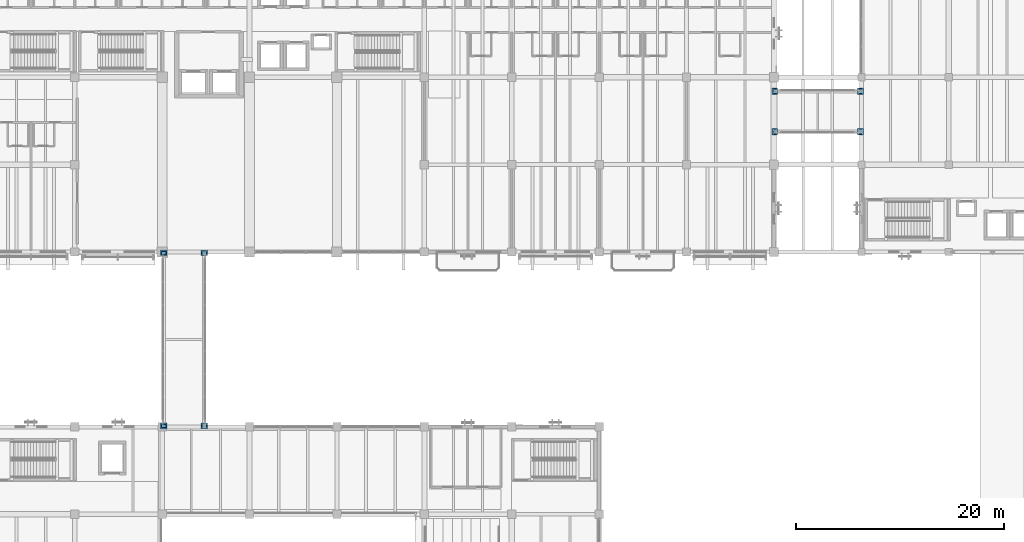
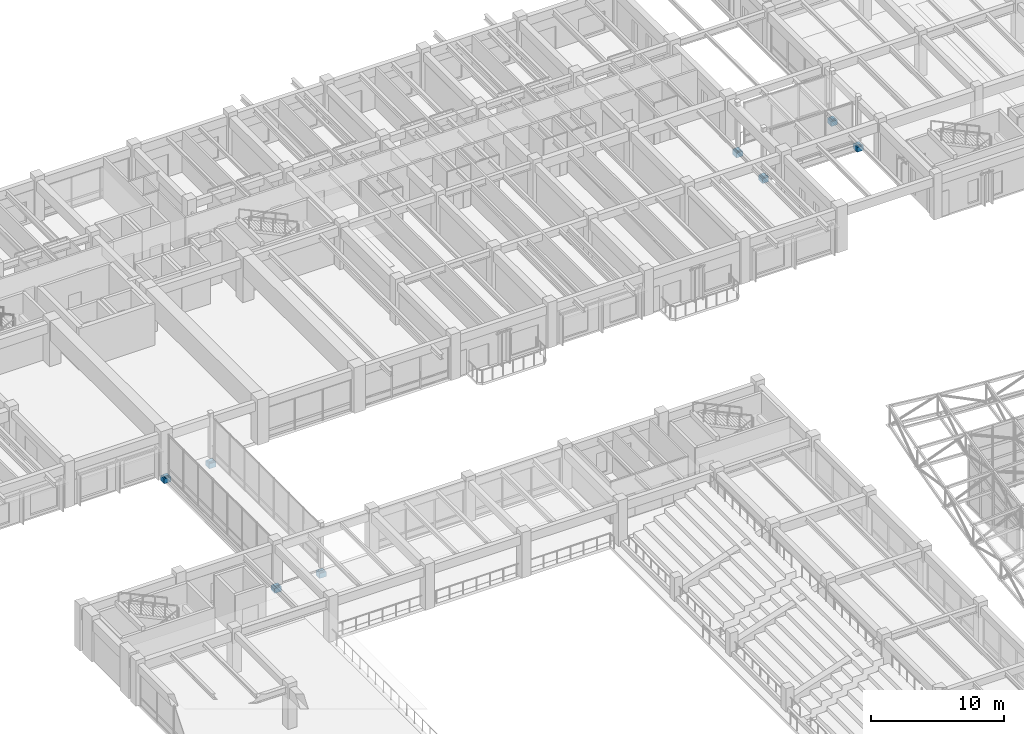
# One storey, part 101 of 132: 16 discrete accessories.
"""IFC4 building model written with IfcOpenShell, lengths in metres."""

from ifc_helpers import new_model, si_unit, direction, frame, origin, origin_2d, place, context, subcontext, project, spatial, rectangle, extrude, material, type_object, element, save


model = new_model("IFC4")

# Units and contexts
model_context = context("Model", 3, precision=1e-05, world=origin(), true_north=direction((0.0, 1.0)))
body_context = subcontext(model_context, "Body", "Model", "MODEL_VIEW")
ifc_project = project(units=[si_unit("LENGTHUNIT", "METRE"), si_unit("AREAUNIT", "SQUARE_METRE"), si_unit("VOLUMEUNIT", "CUBIC_METRE"), si_unit("PLANEANGLEUNIT", "RADIAN"), si_unit("MASSUNIT", "GRAM", prefix="KILO")], contexts=[model_context])

# Site, building, storey
site_placement = place(None, origin())
site = spatial("IfcSite", under=ifc_project, at=site_placement, CompositionType="ELEMENT")
building_placement = place(site_placement, origin())
building = spatial("IfcBuilding", under=site, at=building_placement, Name="Cumbredor Promenade Congress Hotel", CompositionType="ELEMENT")
storey_placement = place(building_placement, frame((0.0, 0.0, 7.56005859375)))
storey = spatial("IfcBuildingStorey", under=building, at=storey_placement, Name="L02", CompositionType="ELEMENT", Elevation=7.56005859375)

# Discrete accessories
ifc_material_1 = material(Name="Concrete C50/60", Category="concrete")
discrete_accessory_type_1 = type_object("IfcDiscreteAccessoryType", Name="Bridge Seat Corbel RC 600x550", PredefinedType="BRACKET", material=ifc_material_1)
for number, where, z_axis, x_axis, name in (
    (1, (25.35009765625, 67.280029296875, -0.7900390625), (0.0, 0.0, 1.0), (0.0, 1.0, 0.0), "L02 West Congress-to-Hotel Glazed Bridge 550mm RC Bridge Seat Corbel 1"),
    (2, (29.25, 67.280029296875, -0.7900390625), (0.0, 0.0, 1.0), (0.0, 1.0, 0.0), "L02 West Congress-to-Hotel Glazed Bridge 550mm RC Bridge Seat Corbel 2"),
    (3, (25.35009765625, 83.919921875, -0.7900390625), (0.0, 0.0, 1.0), (0.0, 1.0, 0.0), "L02 West Congress-to-Hotel Glazed Bridge 550mm RC Bridge Seat Corbel 3"),
    (4, (29.25, 83.919921875, -0.7900390625), (0.0, 0.0, 1.0), (0.0, 1.0, 0.0), "L02 West Congress-to-Hotel Glazed Bridge 550mm RC Bridge Seat Corbel 4"),
    (5, (84.080078125, 95.550048828125, -0.7900390625), (0.0, 0.0, 1.0), (1.0, 0.0, 0.0), "L02 North Hotel-to-Forum Glazed Bridge 550mm RC Bridge Seat Corbel 1"),
    (6, (84.080078125, 99.449951171875, -0.7900390625), (0.0, 0.0, 1.0), (1.0, 0.0, 0.0), "L02 North Hotel-to-Forum Glazed Bridge 550mm RC Bridge Seat Corbel 2"),
    (7, (92.320068359375, 95.550048828125, -0.7900390625), (0.0, 0.0, 1.0), (1.0, 0.0, 0.0), "L02 North Hotel-to-Forum Glazed Bridge 550mm RC Bridge Seat Corbel 3"),
    (8, (92.320068359375, 99.449951171875, -0.7900390625), (0.0, 0.0, 1.0), (1.0, 0.0, 0.0), "L02 North Hotel-to-Forum Glazed Bridge 550mm RC Bridge Seat Corbel 4"),
):
    element("IfcDiscreteAccessory", number, at=place(storey_placement, frame(where, z_axis=z_axis, x_axis=x_axis)), inside=storey, type_object=discrete_accessory_type_1, Name=name, PredefinedType="BRACKET", context=body_context, shape_type="SweptSolid", body=[
        extrude(rectangle(XDim=0.550048828125, YDim=0.60009765625, at=origin_2d()), origin(), (0.0, 0.0, 1.0), 0.449951171875),
    ])
ifc_material_2 = material(Name="Steel ASTM A572 Grade 50", Category="steel")
discrete_accessory_type_2 = type_object("IfcDiscreteAccessoryType", Name="Bridge Unguided PTFE Sliding Bearing BRG-01", PredefinedType="SHOE", material=ifc_material_2)
for number, where, z_axis, x_axis, name in (
    (9, (25.35009765625, 67.280029296875, -0.340087890625), (0.0, 0.0, 1.0), (0.0, 1.0, 0.0), "L02 West Congress-to-Hotel Glazed Bridge Unguided PTFE Sliding Bearing BRG-01"),
    (10, (29.25, 67.280029296875, -0.340087890625), (0.0, 0.0, 1.0), (0.0, 1.0, 0.0), "L02 West Congress-to-Hotel Glazed Bridge Unguided PTFE Sliding Bearing BRG-01"),
    (11, (25.35009765625, 83.919921875, -0.340087890625), (0.0, 0.0, 1.0), (0.0, 1.0, 0.0), "L02 West Congress-to-Hotel Glazed Bridge Unguided PTFE Sliding Bearing BRG-01"),
    (12, (29.25, 83.919921875, -0.340087890625), (0.0, 0.0, 1.0), (0.0, 1.0, 0.0), "L02 West Congress-to-Hotel Glazed Bridge Unguided PTFE Sliding Bearing BRG-01"),
    (13, (84.080078125, 95.550048828125, -0.340087890625), (0.0, 0.0, 1.0), (1.0, 0.0, 0.0), "L02 North Hotel-to-Forum Glazed Bridge Unguided PTFE Sliding Bearing BRG-01"),
    (14, (84.080078125, 99.449951171875, -0.340087890625), (0.0, 0.0, 1.0), (1.0, 0.0, 0.0), "L02 North Hotel-to-Forum Glazed Bridge Unguided PTFE Sliding Bearing BRG-01"),
    (15, (92.320068359375, 95.550048828125, -0.340087890625), (0.0, 0.0, 1.0), (1.0, 0.0, 0.0), "L02 North Hotel-to-Forum Glazed Bridge Unguided PTFE Sliding Bearing BRG-01"),
    (16, (92.320068359375, 99.449951171875, -0.340087890625), (0.0, 0.0, 1.0), (1.0, 0.0, 0.0), "L02 North Hotel-to-Forum Glazed Bridge Unguided PTFE Sliding Bearing BRG-01"),
):
    element("IfcDiscreteAccessory", number, at=place(storey_placement, frame(where, z_axis=z_axis, x_axis=x_axis)), inside=storey, type_object=discrete_accessory_type_2, Name=name, PredefinedType="SHOE", context=body_context, shape_type="SweptSolid", body=[
        extrude(rectangle(XDim=0.300048828125, YDim=0.39990234375, at=origin_2d()), origin(), (0.0, 0.0, 1.0), 0.1201171875),
    ])

save(model, "model.ifc")
